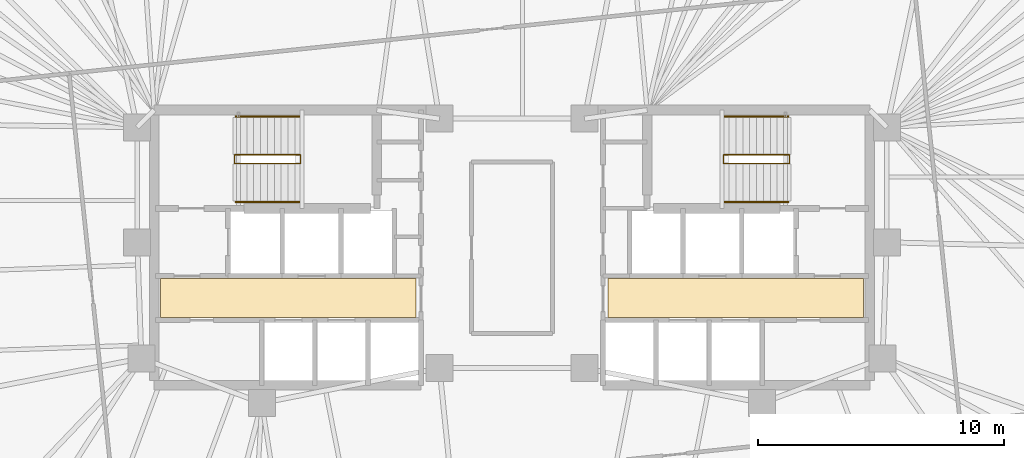
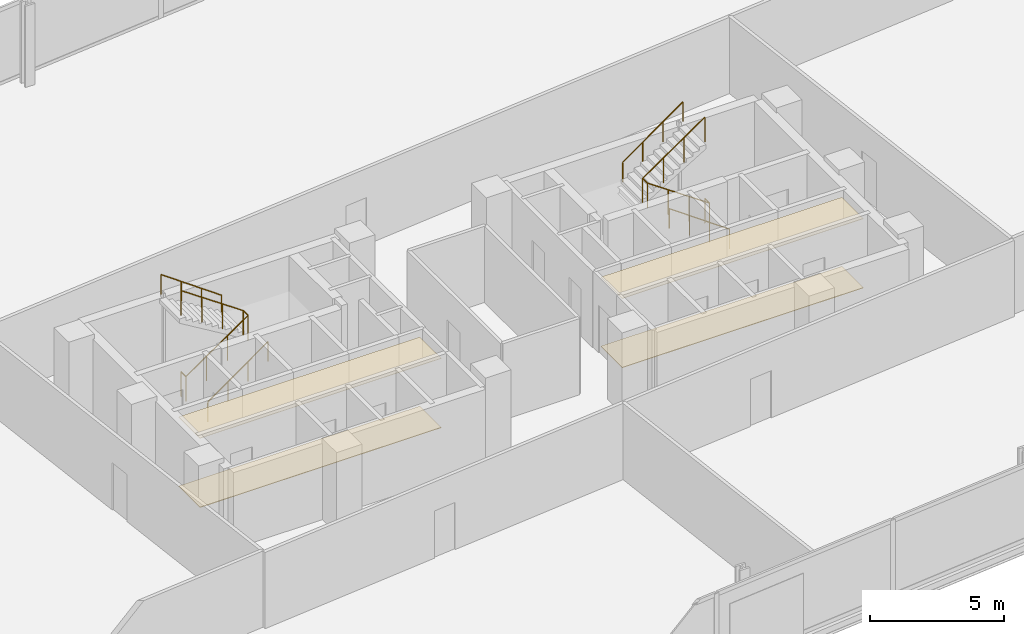
# One storey, part 17 of 17: 6 railings, 4 coverings.
"""IFC4 building model written with IfcOpenShell, lengths in metres."""

from ifc_helpers import new_model, si_unit, direction, frame, origin, origin_2d, place, context, subcontext, project, spatial, polyline, circle, outline, extrude, material, layer, layer_set, type_object, element, save


model = new_model("IFC4")

# Units and contexts
model_context = context("Model", 3, precision=1e-05, world=origin(), true_north=direction((0.0, 1.0)))
body_context = subcontext(model_context, "Body", "Model", "MODEL_VIEW")
ifc_project = project(units=[si_unit("LENGTHUNIT", "METRE"), si_unit("AREAUNIT", "SQUARE_METRE"), si_unit("VOLUMEUNIT", "CUBIC_METRE"), si_unit("PLANEANGLEUNIT", "RADIAN"), si_unit("MASSUNIT", "GRAM", prefix="KILO")], contexts=[model_context])

# Site, building, storey
site_placement = place(None, origin())
site = spatial("IfcSite", under=ifc_project, at=site_placement, CompositionType="ELEMENT")
building_placement = place(site_placement, origin())
building = spatial("IfcBuilding", under=site, at=building_placement, Name="Menara Jurai Vektor", CompositionType="ELEMENT")
storey_placement = place(building_placement, frame((0.0, 0.0, 87.39990234375)))
storey = spatial("IfcBuildingStorey", under=building, at=storey_placement, Name="L21", CompositionType="ELEMENT", Elevation=87.39990234375)

# Coverings
ifc_material_1 = material(Name="Mineral Fibre Acoustic Ceiling Tile", Category="gypsum")
ifc_layer_1 = layer(ifc_material_1, 0.02001953125)
ifc_layer_set_1 = layer_set([ifc_layer_1], Name="Mineral Fibre Acoustic Ceiling Tile")
covering_type_1 = type_object("IfcCoveringType", Name="COV-CEILING-ACOUSTIC", PredefinedType="CEILING", material=ifc_layer_set_1)
covering_1_placement = place(storey_placement, frame((0.0, 0.0, 3.155029296875)))
element("IfcCovering", 1, at=covering_1_placement, inside=storey, type_object=covering_type_1, Name="Acoustic Lift Lobby Ceiling W L21", PredefinedType="CEILING", context=body_context, shape_type="SweptSolid", body=[
    extrude(outline(polyline([(-14.300048828125, -2.85009765625), (-3.89990234375, -2.85009765625), (-3.89990234375, -1.25), (-14.300048828125, -1.25), (-14.300048828125, -2.85009765625)])), origin(), (0.0, 0.0, 1.0), 0.02001953125),
])
covering_2_placement = place(storey_placement, frame((0.0, 0.0, 3.155029296875)))
element("IfcCovering", 2, at=covering_2_placement, inside=storey, type_object=covering_type_1, Name="Acoustic Lift Lobby Ceiling E L21", PredefinedType="CEILING", context=body_context, shape_type="SweptSolid", body=[
    extrude(outline(polyline([(3.89990234375, -2.85009765625), (14.300048828125, -2.85009765625), (14.300048828125, -1.25), (3.89990234375, -1.25), (3.89990234375, -2.85009765625)])), origin(), (0.0, 0.0, 1.0), 0.02001953125),
])
ifc_material_2 = material(Name="Honed Granite Lobby Flooring", Category="masonry")
ifc_layer_2 = layer(ifc_material_2, 0.02490234375)
ifc_layer_set_2 = layer_set([ifc_layer_2], Name="Honed Granite Lobby Flooring")
covering_type_2 = type_object("IfcCoveringType", Name="COV-FLOOR-STONE", PredefinedType="FLOORING", material=ifc_layer_set_2)
covering_3_placement = place(storey_placement, origin())
element("IfcCovering", 3, at=covering_3_placement, inside=storey, type_object=covering_type_2, Name="Granite Lift Lobby Flooring W L21", PredefinedType="FLOORING", context=body_context, shape_type="SweptSolid", body=[
    extrude(outline(polyline([(-14.300048828125, -2.85009765625), (-3.89990234375, -2.85009765625), (-3.89990234375, -1.25), (-14.300048828125, -1.25), (-14.300048828125, -2.85009765625)])), origin(), (0.0, 0.0, 1.0), 0.025146484375),
])
covering_4_placement = place(storey_placement, origin())
element("IfcCovering", 4, at=covering_4_placement, inside=storey, type_object=covering_type_2, Name="Granite Lift Lobby Flooring E L21", PredefinedType="FLOORING", context=body_context, shape_type="SweptSolid", body=[
    extrude(outline(polyline([(3.89990234375, -2.85009765625), (14.300048828125, -2.85009765625), (14.300048828125, -1.25), (3.89990234375, -1.25), (3.89990234375, -2.85009765625)])), origin(), (0.0, 0.0, 1.0), 0.025146484375),
])

# Railings
ifc_material_3 = material(Name="Painted Galvanised Steel Balustrade", Category="steel")
railing_type_1 = type_object("IfcRailingType", Name="RAIL-STAIR-GUARD", PredefinedType="GUARDRAIL", material=ifc_material_3)
railing_1_placement = place(storey_placement, frame((-11.2900390625, 3.780029296875, 0.0)))
element("IfcRailing", 5, at=railing_1_placement, inside=storey, type_object=railing_type_1, Name="ST1 Stair Guardrail 1 L21", PredefinedType="GUARDRAIL", context=body_context, shape_type="SweptSolid", body=[
    extrude(circle(Radius=0.02392578125, at=origin_2d()), frame((0.0, 0.0, 1.1259765625), z_axis=(0.0, -1.0, 0.0), x_axis=(1.0, 0.0, 0.0)), (0.0, 0.0, 1.0), 0.360107421875),
    extrude(circle(Radius=0.02392578125, at=origin_2d()), frame((0.0, -0.360107421875, 1.1259765625), z_axis=(0.822944469782, 0.0, 0.568121817619), x_axis=(0.0, 1.0, 0.0)), (0.0, 0.0, 1.0), 3.256591796875),
    extrude(circle(Radius=0.02392578125, at=origin_2d()), frame((2.679931640625, -0.360107421875, 2.97607421875), z_axis=(0.0, 1.0, 0.0), x_axis=(-1.0, 0.0, 0.0)), (0.0, 0.0, 1.0), 0.360107421875),
    extrude(circle(Radius=0.02392578125, at=origin_2d()), frame((2.679931640625, 0.0, 2.97607421875), z_axis=(-0.822944469782, 0.0, 0.568121817619), x_axis=(0.0, -1.0, 0.0)), (0.0, 0.0, 1.0), 3.256591796875),
    extrude(circle(Radius=0.02099609375, at=origin_2d()), origin(), (0.0, 0.0, 1.0), 1.101806640625),
    extrude(circle(Radius=0.02099609375, at=origin_2d()), frame((0.0, -0.360107421875, 0.0)), (0.0, 0.0, 1.0), 1.101806640625),
    extrude(circle(Radius=0.02099609375, at=origin_2d()), frame((0.893310546875, -0.360107421875, 0.61669921875)), (0.0, 0.0, 1.0), 1.101806640625),
    extrude(circle(Radius=0.02099609375, at=origin_2d()), frame((1.78662109375, -0.360107421875, 1.2333984375)), (0.0, 0.0, 1.0), 1.101806640625),
    extrude(circle(Radius=0.02099609375, at=origin_2d()), frame((2.679931640625, -0.360107421875, 1.85009765625)), (0.0, 0.0, 1.0), 1.101806640625),
    extrude(circle(Radius=0.02099609375, at=origin_2d()), frame((2.679931640625, 0.0, 1.85009765625)), (0.0, 0.0, 1.0), 1.101806640625),
    extrude(circle(Radius=0.02099609375, at=origin_2d()), frame((1.78662109375, 0.0, 2.466796875)), (0.0, 0.0, 1.0), 1.101806640625),
    extrude(circle(Radius=0.02099609375, at=origin_2d()), frame((0.893310546875, 0.0, 3.08349609375)), (0.0, 0.0, 1.0), 1.101806640625),
    extrude(circle(Radius=0.02099609375, at=origin_2d()), frame((0.0, 0.0, 3.7001953125)), (0.0, 0.0, 1.0), 1.101806640625),
])
railing_2_placement = place(storey_placement, frame((11.2900390625, 3.780029296875, 0.0)))
element("IfcRailing", 6, at=railing_2_placement, inside=storey, type_object=railing_type_1, Name="ST2 Stair Guardrail 1 L21", PredefinedType="GUARDRAIL", context=body_context, shape_type="SweptSolid", body=[
    extrude(circle(Radius=0.02392578125, at=origin_2d()), frame((0.0, 0.0, 1.1259765625), z_axis=(0.0, -1.0, 0.0), x_axis=(1.0, 0.0, 0.0)), (0.0, 0.0, 1.0), 0.360107421875),
    extrude(circle(Radius=0.02392578125, at=origin_2d()), frame((0.0, -0.360107421875, 1.1259765625), z_axis=(-0.822944469782, 0.0, 0.568121817619), x_axis=(0.0, -1.0, 0.0)), (0.0, 0.0, 1.0), 3.256591796875),
    extrude(circle(Radius=0.02392578125, at=origin_2d()), frame((-2.679931640625, -0.360107421875, 2.97607421875), z_axis=(0.0, 1.0, 0.0), x_axis=(-1.0, 0.0, 0.0)), (0.0, 0.0, 1.0), 0.360107421875),
    extrude(circle(Radius=0.02392578125, at=origin_2d()), frame((-2.679931640625, 0.0, 2.97607421875), z_axis=(0.822944469782, 0.0, 0.568121817619), x_axis=(0.0, 1.0, 0.0)), (0.0, 0.0, 1.0), 3.256591796875),
    extrude(circle(Radius=0.02099609375, at=origin_2d()), origin(), (0.0, 0.0, 1.0), 1.101806640625),
    extrude(circle(Radius=0.02099609375, at=origin_2d()), frame((0.0, -0.360107421875, 0.0)), (0.0, 0.0, 1.0), 1.101806640625),
    extrude(circle(Radius=0.02099609375, at=origin_2d()), frame((-0.893310546875, -0.360107421875, 0.61669921875)), (0.0, 0.0, 1.0), 1.101806640625),
    extrude(circle(Radius=0.02099609375, at=origin_2d()), frame((-1.78662109375, -0.360107421875, 1.2333984375)), (0.0, 0.0, 1.0), 1.101806640625),
    extrude(circle(Radius=0.02099609375, at=origin_2d()), frame((-2.679931640625, -0.360107421875, 1.85009765625)), (0.0, 0.0, 1.0), 1.101806640625),
    extrude(circle(Radius=0.02099609375, at=origin_2d()), frame((-2.679931640625, 0.0, 1.85009765625)), (0.0, 0.0, 1.0), 1.101806640625),
    extrude(circle(Radius=0.02099609375, at=origin_2d()), frame((-1.78662109375, 0.0, 2.466796875)), (0.0, 0.0, 1.0), 1.101806640625),
    extrude(circle(Radius=0.02099609375, at=origin_2d()), frame((-0.893310546875, 0.0, 3.08349609375)), (0.0, 0.0, 1.0), 1.101806640625),
    extrude(circle(Radius=0.02099609375, at=origin_2d()), frame((0.0, 0.0, 3.7001953125)), (0.0, 0.0, 1.0), 1.101806640625),
])
ifc_material_4 = material(Name="Brushed Stainless Steel Handrail", Category="steel")
railing_type_2 = type_object("IfcRailingType", Name="RAIL-STAIR-HAND", PredefinedType="HANDRAIL", material=ifc_material_4)
railing_3_placement = place(storey_placement, frame((-11.25, 1.860107421875, 0.0)))
element("IfcRailing", 7, at=railing_3_placement, inside=storey, type_object=railing_type_2, Name="ST1 Stair Handrail 1 L21", PredefinedType="HANDRAIL", context=body_context, shape_type="SweptSolid", body=[
    extrude(circle(Radius=0.02392578125, at=origin_2d()), frame((0.0, 0.0, 0.89599609375), z_axis=(0.814786671209, 0.0, 0.579760882106), x_axis=(0.0, 1.0, 0.0)), (0.0, 0.0, 1.0), 3.191162109375),
    extrude(circle(Radius=0.02099609375, at=origin_2d()), origin(), (0.0, 0.0, 1.0), 0.871826171875),
    extrude(circle(Radius=0.02099609375, at=origin_2d()), frame((0.86669921875, 0.0, 0.61669921875)), (0.0, 0.0, 1.0), 0.871826171875),
    extrude(circle(Radius=0.02099609375, at=origin_2d()), frame((1.7333984375, 0.0, 1.2333984375)), (0.0, 0.0, 1.0), 0.871826171875),
    extrude(circle(Radius=0.02099609375, at=origin_2d()), frame((2.60009765625, 0.0, 1.85009765625)), (0.0, 0.0, 1.0), 0.871826171875),
])
for number, where, name in (
    (8, (-8.64990234375, 5.340087890625, 1.85009765625), "ST1 Stair Handrail 2 L21"),
    (9, (11.25, 1.860107421875, 0.0), "ST2 Stair Handrail 1 L21"),
):
    element("IfcRailing", number, at=place(storey_placement, frame(where)), inside=storey, type_object=railing_type_2, Name=name, PredefinedType="HANDRAIL", context=body_context, shape_type="SweptSolid", body=[
        extrude(circle(Radius=0.02392578125, at=origin_2d()), frame((0.0, 0.0, 0.89599609375), z_axis=(-0.814786671209, 0.0, 0.579760882106), x_axis=(0.0, -1.0, 0.0)), (0.0, 0.0, 1.0), 3.191162109375),
        extrude(circle(Radius=0.02099609375, at=origin_2d()), origin(), (0.0, 0.0, 1.0), 0.871826171875),
        extrude(circle(Radius=0.02099609375, at=origin_2d()), frame((-0.86669921875, 0.0, 0.61669921875)), (0.0, 0.0, 1.0), 0.871826171875),
        extrude(circle(Radius=0.02099609375, at=origin_2d()), frame((-1.7333984375, 0.0, 1.2333984375)), (0.0, 0.0, 1.0), 0.871826171875),
        extrude(circle(Radius=0.02099609375, at=origin_2d()), frame((-2.60009765625, 0.0, 1.85009765625)), (0.0, 0.0, 1.0), 0.871826171875),
    ])
railing_4_placement = place(storey_placement, frame((8.64990234375, 5.340087890625, 1.85009765625)))
element("IfcRailing", 10, at=railing_4_placement, inside=storey, type_object=railing_type_2, Name="ST2 Stair Handrail 2 L21", PredefinedType="HANDRAIL", context=body_context, shape_type="SweptSolid", body=[
    extrude(circle(Radius=0.02392578125, at=origin_2d()), frame((0.0, 0.0, 0.89599609375), z_axis=(0.814786671209, 0.0, 0.579760882106), x_axis=(0.0, 1.0, 0.0)), (0.0, 0.0, 1.0), 3.191162109375),
    extrude(circle(Radius=0.02099609375, at=origin_2d()), origin(), (0.0, 0.0, 1.0), 0.871826171875),
    extrude(circle(Radius=0.02099609375, at=origin_2d()), frame((0.86669921875, 0.0, 0.61669921875)), (0.0, 0.0, 1.0), 0.871826171875),
    extrude(circle(Radius=0.02099609375, at=origin_2d()), frame((1.7333984375, 0.0, 1.2333984375)), (0.0, 0.0, 1.0), 0.871826171875),
    extrude(circle(Radius=0.02099609375, at=origin_2d()), frame((2.60009765625, 0.0, 1.85009765625)), (0.0, 0.0, 1.0), 0.871826171875),
])

save(model, "model.ifc")
